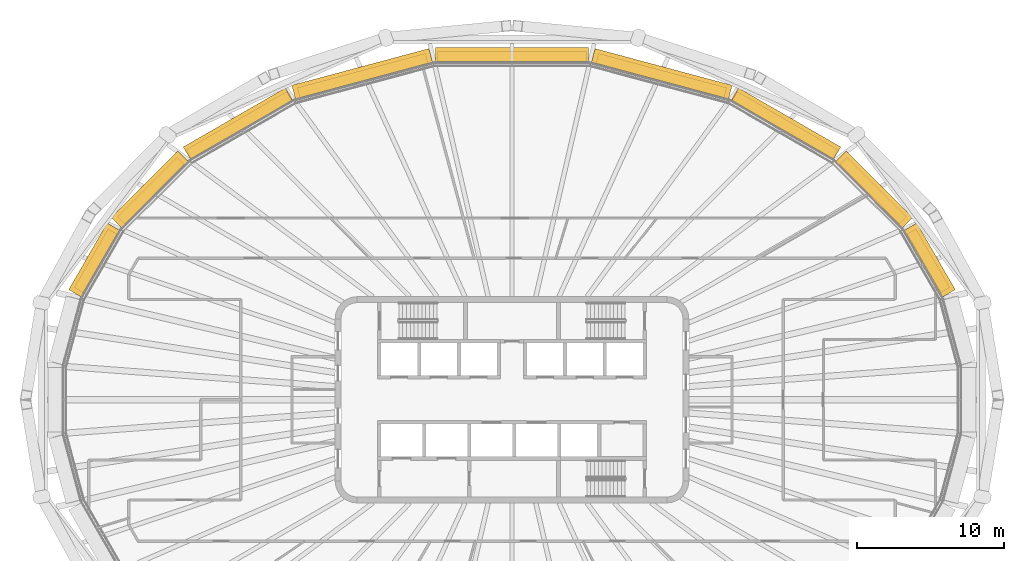
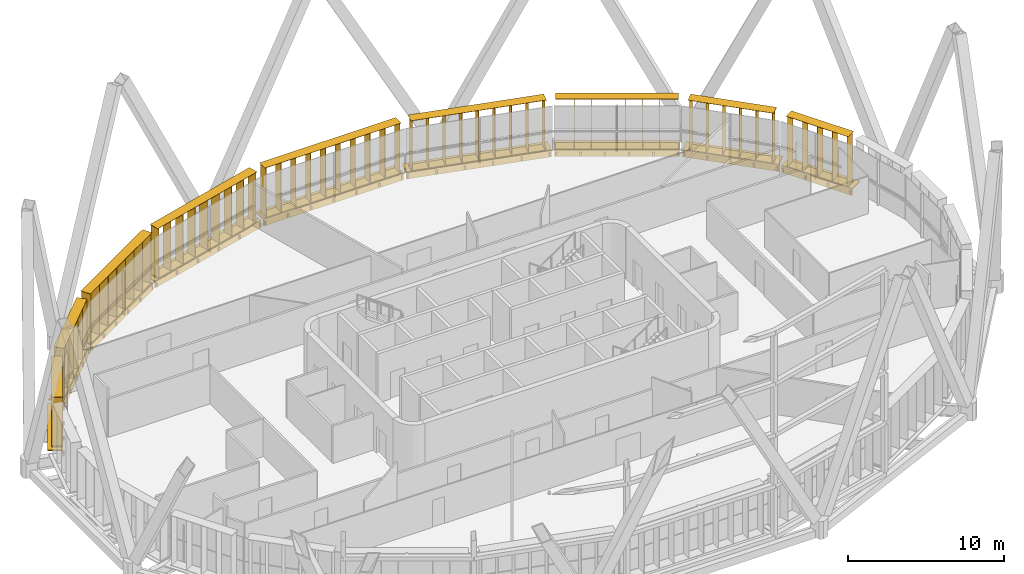
# One storey, part 22 of 22: 18 shading devices.
"""IFC4 building model written with IfcOpenShell, lengths in metres."""

from ifc_helpers import new_model, si_unit, direction, frame, origin, origin_2d, place, context, subcontext, project, spatial, rectangle, extrude, material, type_object, element, save


model = new_model("IFC4")

# Units and contexts
model_context = context("Model", 3, precision=1e-05, world=origin(), true_north=direction((0.0, 1.0)))
body_context = subcontext(model_context, "Body", "Model", "MODEL_VIEW")
ifc_project = project(units=[si_unit("LENGTHUNIT", "METRE"), si_unit("AREAUNIT", "SQUARE_METRE"), si_unit("VOLUMEUNIT", "CUBIC_METRE"), si_unit("PLANEANGLEUNIT", "RADIAN"), si_unit("MASSUNIT", "GRAM", prefix="KILO")], contexts=[model_context])

# Site, building, storey
site_placement = place(None, origin())
site = spatial("IfcSite", under=ifc_project, at=site_placement, CompositionType="ELEMENT")
building_placement = place(site_placement, origin())
building = spatial("IfcBuilding", under=site, at=building_placement, Name="Sahrelin Media Tower", CompositionType="ELEMENT")
storey_placement = place(building_placement, frame((0.0, 0.0, 233.60009765625)))
storey = spatial("IfcBuildingStorey", under=building, at=storey_placement, Name="L50", CompositionType="ELEMENT", Elevation=233.60009765625)

# Shading devices
ifc_material = material(Name="Champagne anodised aluminium 6063-T6", Category="aluminium")
shading_device_type_1 = type_object("IfcShadingDeviceType", Name="Fin cassette", PredefinedType="USERDEFINED", material=ifc_material)
placement_1 = place(storey_placement, frame((27.887939453125, 9.2216796875, 0.0), z_axis=(0.0, 0.0, 1.0), x_axis=(0.500011000363, -0.866019052629, 0.0)))
element("IfcShadingDevice", 1, at=placement_1, inside=storey, type_object=shading_device_type_1, Name="L50:FIN:L50-02", ObjectType="FIN", PredefinedType="USERDEFINED", context=body_context, shape_type="SweptSolid", body=[
    extrude(rectangle(XDim=4.60009765625, YDim=0.699951171875, at=origin_2d()), frame((0.0, 0.419921875, 0.0)), (0.0, 0.0, 1.0), 0.02001953125),
    extrude(rectangle(XDim=4.60009765625, YDim=0.699951171875, at=origin_2d()), frame((0.0, 0.419921875, 3.89990234375)), (0.0, 0.0, 1.0), 0.02001953125),
    extrude(rectangle(XDim=0.02001953125, YDim=0.699951171875, at=origin_2d()), frame((-2.199951171875, 0.419921875, 0.010009765625), z_axis=(0.0, 0.0, 1.0), x_axis=(1.0, 0.0, 0.0)), (0.0, 0.0, 1.0), 3.89990234375),
    extrude(rectangle(XDim=0.02001953125, YDim=0.699951171875, at=origin_2d()), frame((-1.10009765625, 0.419921875, 0.010009765625), z_axis=(0.0, 0.0, 1.0), x_axis=(1.0, 0.0, 0.0)), (0.0, 0.0, 1.0), 3.89990234375),
    extrude(rectangle(XDim=0.02001953125, YDim=0.699951171875, at=origin_2d()), frame((0.0, 0.419921875, 0.010009765625), z_axis=(0.0, 0.0, 1.0), x_axis=(1.0, 0.0, 0.0)), (0.0, 0.0, 1.0), 3.89990234375),
    extrude(rectangle(XDim=0.02001953125, YDim=0.699951171875, at=origin_2d()), frame((1.10009765625, 0.419921875, 0.010009765625), z_axis=(0.0, 0.0, 1.0), x_axis=(1.0, 0.0, 0.0)), (0.0, 0.0, 1.0), 3.89990234375),
    extrude(rectangle(XDim=0.02001953125, YDim=0.699951171875, at=origin_2d()), frame((2.199951171875, 0.419921875, 0.010009765625), z_axis=(0.0, 0.0, 1.0), x_axis=(1.0, 0.0, 0.0)), (0.0, 0.0, 1.0), 3.89990234375),
])
placement_2 = place(storey_placement, frame((24.206298828125, 13.895263671875, 0.0), z_axis=(0.0, 0.0, 1.0), x_axis=(0.707106781187, -0.707106781187, 0.0)))
element("IfcShadingDevice", 2, at=placement_2, inside=storey, type_object=shading_device_type_1, Name="L50:FIN:L50-03", ObjectType="FIN", PredefinedType="USERDEFINED", context=body_context, shape_type="SweptSolid", body=[
    extrude(rectangle(XDim=5.699951171875, YDim=0.699951171875, at=origin_2d()), frame((0.0, 0.419921875, 0.0)), (0.0, 0.0, 1.0), 0.02001953125),
    extrude(rectangle(XDim=5.699951171875, YDim=0.699951171875, at=origin_2d()), frame((0.0, 0.419921875, 3.89990234375)), (0.0, 0.0, 1.0), 0.02001953125),
    extrude(rectangle(XDim=0.02001953125, YDim=0.699951171875, at=origin_2d()), frame((-2.75, 0.419921875, 0.010009765625), z_axis=(0.0, 0.0, 1.0), x_axis=(1.0, 0.0, 0.0)), (0.0, 0.0, 1.0), 3.89990234375),
    extrude(rectangle(XDim=0.02001953125, YDim=0.699951171875, at=origin_2d()), frame((-1.64990234375, 0.419921875, 0.010009765625), z_axis=(0.0, 0.0, 1.0), x_axis=(1.0, 0.0, 0.0)), (0.0, 0.0, 1.0), 3.89990234375),
    extrude(rectangle(XDim=0.02001953125, YDim=0.699951171875, at=origin_2d()), frame((-0.550048828125, 0.419921875, 0.010009765625), z_axis=(0.0, 0.0, 1.0), x_axis=(1.0, 0.0, 0.0)), (0.0, 0.0, 1.0), 3.89990234375),
    extrude(rectangle(XDim=0.02001953125, YDim=0.699951171875, at=origin_2d()), frame((0.550048828125, 0.419921875, 0.010009765625), z_axis=(0.0, 0.0, 1.0), x_axis=(1.0, 0.0, 0.0)), (0.0, 0.0, 1.0), 3.89990234375),
    extrude(rectangle(XDim=0.02001953125, YDim=0.699951171875, at=origin_2d()), frame((1.64990234375, 0.419921875, 0.010009765625), z_axis=(0.0, 0.0, 1.0), x_axis=(1.0, 0.0, 0.0)), (0.0, 0.0, 1.0), 3.89990234375),
    extrude(rectangle(XDim=0.02001953125, YDim=0.699951171875, at=origin_2d()), frame((2.75, 0.419921875, 0.010009765625), z_axis=(0.0, 0.0, 1.0), x_axis=(1.0, 0.0, 0.0)), (0.0, 0.0, 1.0), 3.89990234375),
])
placement_3 = place(storey_placement, frame((18.326416015625, 18.273681640625, 0.0), z_axis=(0.0, 0.0, 1.0), x_axis=(0.866019052629, -0.500011000363, 0.0)))
element("IfcShadingDevice", 3, at=placement_3, inside=storey, type_object=shading_device_type_1, Name="L50:FIN:L50-04", ObjectType="FIN", PredefinedType="USERDEFINED", context=body_context, shape_type="SweptSolid", body=[
    extrude(rectangle(XDim=7.89990234375, YDim=0.699951171875, at=origin_2d()), frame((0.0, 0.419921875, 0.0)), (0.0, 0.0, 1.0), 0.02001953125),
    extrude(rectangle(XDim=7.89990234375, YDim=0.699951171875, at=origin_2d()), frame((0.0, 0.419921875, 3.89990234375)), (0.0, 0.0, 1.0), 0.02001953125),
    extrude(rectangle(XDim=0.02001953125, YDim=0.699951171875, at=origin_2d()), frame((-3.85009765625, 0.419921875, 0.010009765625), z_axis=(0.0, 0.0, 1.0), x_axis=(1.0, 0.0, 0.0)), (0.0, 0.0, 1.0), 3.89990234375),
    extrude(rectangle(XDim=0.02001953125, YDim=0.699951171875, at=origin_2d()), frame((-2.75, 0.419921875, 0.010009765625), z_axis=(0.0, 0.0, 1.0), x_axis=(1.0, 0.0, 0.0)), (0.0, 0.0, 1.0), 3.89990234375),
    extrude(rectangle(XDim=0.02001953125, YDim=0.699951171875, at=origin_2d()), frame((-1.64990234375, 0.419921875, 0.010009765625), z_axis=(0.0, 0.0, 1.0), x_axis=(1.0, 0.0, 0.0)), (0.0, 0.0, 1.0), 3.89990234375),
    extrude(rectangle(XDim=0.02001953125, YDim=0.699951171875, at=origin_2d()), frame((-0.550048828125, 0.419921875, 0.010009765625), z_axis=(0.0, 0.0, 1.0), x_axis=(1.0, 0.0, 0.0)), (0.0, 0.0, 1.0), 3.89990234375),
    extrude(rectangle(XDim=0.02001953125, YDim=0.699951171875, at=origin_2d()), frame((0.550048828125, 0.419921875, 0.010009765625), z_axis=(0.0, 0.0, 1.0), x_axis=(1.0, 0.0, 0.0)), (0.0, 0.0, 1.0), 3.89990234375),
    extrude(rectangle(XDim=0.02001953125, YDim=0.699951171875, at=origin_2d()), frame((1.64990234375, 0.419921875, 0.010009765625), z_axis=(0.0, 0.0, 1.0), x_axis=(1.0, 0.0, 0.0)), (0.0, 0.0, 1.0), 3.89990234375),
    extrude(rectangle(XDim=0.02001953125, YDim=0.699951171875, at=origin_2d()), frame((2.75, 0.419921875, 0.010009765625), z_axis=(0.0, 0.0, 1.0), x_axis=(1.0, 0.0, 0.0)), (0.0, 0.0, 1.0), 3.89990234375),
    extrude(rectangle(XDim=0.02001953125, YDim=0.699951171875, at=origin_2d()), frame((3.85009765625, 0.419921875, 0.010009765625), z_axis=(0.0, 0.0, 1.0), x_axis=(1.0, 0.0, 0.0)), (0.0, 0.0, 1.0), 3.89990234375),
])
placement_4 = place(storey_placement, frame((10.025634765625, 21.596923828125, 0.0), z_axis=(0.0, 0.0, 1.0), x_axis=(0.965928857556, -0.258807731996, 0.0)))
element("IfcShadingDevice", 4, at=placement_4, inside=storey, type_object=shading_device_type_1, Name="L50:FIN:L50-05", ObjectType="FIN", PredefinedType="USERDEFINED", context=body_context, shape_type="SweptSolid", body=[
    extrude(rectangle(XDim=9.0, YDim=0.699951171875, at=origin_2d()), frame((0.0, 0.419921875, 0.0)), (0.0, 0.0, 1.0), 0.02001953125),
    extrude(rectangle(XDim=9.0, YDim=0.699951171875, at=origin_2d()), frame((0.0, 0.419921875, 3.89990234375)), (0.0, 0.0, 1.0), 0.02001953125),
    extrude(rectangle(XDim=0.02001953125, YDim=0.699951171875, at=origin_2d()), frame((-4.39990234375, 0.419921875, 0.010009765625), z_axis=(0.0, 0.0, 1.0), x_axis=(1.0, 0.0, 0.0)), (0.0, 0.0, 1.0), 3.89990234375),
    extrude(rectangle(XDim=0.02001953125, YDim=0.699951171875, at=origin_2d()), frame((-3.300048828125, 0.419921875, 0.010009765625), z_axis=(0.0, 0.0, 1.0), x_axis=(1.0, 0.0, 0.0)), (0.0, 0.0, 1.0), 3.89990234375),
    extrude(rectangle(XDim=0.02001953125, YDim=0.699951171875, at=origin_2d()), frame((-2.199951171875, 0.419921875, 0.010009765625), z_axis=(0.0, 0.0, 1.0), x_axis=(1.0, 0.0, 0.0)), (0.0, 0.0, 1.0), 3.89990234375),
    extrude(rectangle(XDim=0.02001953125, YDim=0.699951171875, at=origin_2d()), frame((-1.10009765625, 0.419921875, 0.010009765625), z_axis=(0.0, 0.0, 1.0), x_axis=(1.0, 0.0, 0.0)), (0.0, 0.0, 1.0), 3.89990234375),
    extrude(rectangle(XDim=0.02001953125, YDim=0.699951171875, at=origin_2d()), frame((0.0, 0.419921875, 0.010009765625), z_axis=(0.0, 0.0, 1.0), x_axis=(1.0, 0.0, 0.0)), (0.0, 0.0, 1.0), 3.89990234375),
    extrude(rectangle(XDim=0.02001953125, YDim=0.699951171875, at=origin_2d()), frame((1.10009765625, 0.419921875, 0.010009765625), z_axis=(0.0, 0.0, 1.0), x_axis=(1.0, 0.0, 0.0)), (0.0, 0.0, 1.0), 3.89990234375),
    extrude(rectangle(XDim=0.02001953125, YDim=0.699951171875, at=origin_2d()), frame((2.199951171875, 0.419921875, 0.010009765625), z_axis=(0.0, 0.0, 1.0), x_axis=(1.0, 0.0, 0.0)), (0.0, 0.0, 1.0), 3.89990234375),
    extrude(rectangle(XDim=0.02001953125, YDim=0.699951171875, at=origin_2d()), frame((3.300048828125, 0.419921875, 0.010009765625), z_axis=(0.0, 0.0, 1.0), x_axis=(1.0, 0.0, 0.0)), (0.0, 0.0, 1.0), 3.89990234375),
    extrude(rectangle(XDim=0.02001953125, YDim=0.699951171875, at=origin_2d()), frame((4.39990234375, 0.419921875, 0.010009765625), z_axis=(0.0, 0.0, 1.0), x_axis=(1.0, 0.0, 0.0)), (0.0, 0.0, 1.0), 3.89990234375),
])
placement_5 = place(storey_placement, frame((0.0, 22.869140625, 0.0), z_axis=(0.0, 0.0, 1.0), x_axis=(1.0, 0.0, 0.0)))
element("IfcShadingDevice", 5, at=placement_5, inside=storey, type_object=shading_device_type_1, Name="L50:FIN:L50-06", ObjectType="FIN", PredefinedType="USERDEFINED", context=body_context, shape_type="SweptSolid", body=[
    extrude(rectangle(XDim=10.10009765625, YDim=0.699951171875, at=origin_2d()), frame((0.0, 0.419921875, 0.0)), (0.0, 0.0, 1.0), 0.02001953125),
    extrude(rectangle(XDim=10.10009765625, YDim=0.699951171875, at=origin_2d()), frame((0.0, 0.419921875, 3.89990234375)), (0.0, 0.0, 1.0), 0.02001953125),
    extrude(rectangle(XDim=0.02001953125, YDim=0.699951171875, at=origin_2d()), frame((-4.949951171875, 0.419921875, 0.010009765625), z_axis=(0.0, 0.0, 1.0), x_axis=(1.0, 0.0, 0.0)), (0.0, 0.0, 1.0), 3.89990234375),
    extrude(rectangle(XDim=0.02001953125, YDim=0.699951171875, at=origin_2d()), frame((-3.85009765625, 0.419921875, 0.010009765625), z_axis=(0.0, 0.0, 1.0), x_axis=(1.0, 0.0, 0.0)), (0.0, 0.0, 1.0), 3.89990234375),
    extrude(rectangle(XDim=0.02001953125, YDim=0.699951171875, at=origin_2d()), frame((-2.75, 0.419921875, 0.010009765625), z_axis=(0.0, 0.0, 1.0), x_axis=(1.0, 0.0, 0.0)), (0.0, 0.0, 1.0), 3.89990234375),
    extrude(rectangle(XDim=0.02001953125, YDim=0.699951171875, at=origin_2d()), frame((-1.64990234375, 0.419921875, 0.010009765625), z_axis=(0.0, 0.0, 1.0), x_axis=(1.0, 0.0, 0.0)), (0.0, 0.0, 1.0), 3.89990234375),
    extrude(rectangle(XDim=0.02001953125, YDim=0.699951171875, at=origin_2d()), frame((-0.550048828125, 0.419921875, 0.010009765625), z_axis=(0.0, 0.0, 1.0), x_axis=(1.0, 0.0, 0.0)), (0.0, 0.0, 1.0), 3.89990234375),
    extrude(rectangle(XDim=0.02001953125, YDim=0.699951171875, at=origin_2d()), frame((0.550048828125, 0.419921875, 0.010009765625), z_axis=(0.0, 0.0, 1.0), x_axis=(1.0, 0.0, 0.0)), (0.0, 0.0, 1.0), 3.89990234375),
    extrude(rectangle(XDim=0.02001953125, YDim=0.699951171875, at=origin_2d()), frame((1.64990234375, 0.419921875, 0.010009765625), z_axis=(0.0, 0.0, 1.0), x_axis=(1.0, 0.0, 0.0)), (0.0, 0.0, 1.0), 3.89990234375),
    extrude(rectangle(XDim=0.02001953125, YDim=0.699951171875, at=origin_2d()), frame((2.75, 0.419921875, 0.010009765625), z_axis=(0.0, 0.0, 1.0), x_axis=(1.0, 0.0, 0.0)), (0.0, 0.0, 1.0), 3.89990234375),
    extrude(rectangle(XDim=0.02001953125, YDim=0.699951171875, at=origin_2d()), frame((3.85009765625, 0.419921875, 0.010009765625), z_axis=(0.0, 0.0, 1.0), x_axis=(1.0, 0.0, 0.0)), (0.0, 0.0, 1.0), 3.89990234375),
    extrude(rectangle(XDim=0.02001953125, YDim=0.699951171875, at=origin_2d()), frame((4.949951171875, 0.419921875, 0.010009765625), z_axis=(0.0, 0.0, 1.0), x_axis=(1.0, 0.0, 0.0)), (0.0, 0.0, 1.0), 3.89990234375),
])
placement_6 = place(storey_placement, frame((-10.025634765625, 21.596923828125, 0.0), z_axis=(0.0, 0.0, 1.0), x_axis=(0.965928857556, 0.258807731996, 0.0)))
element("IfcShadingDevice", 6, at=placement_6, inside=storey, type_object=shading_device_type_1, Name="L50:FIN:L50-07", ObjectType="FIN", PredefinedType="USERDEFINED", context=body_context, shape_type="SweptSolid", body=[
    extrude(rectangle(XDim=9.0, YDim=0.699951171875, at=origin_2d()), frame((0.0, 0.419921875, 0.0)), (0.0, 0.0, 1.0), 0.02001953125),
    extrude(rectangle(XDim=9.0, YDim=0.699951171875, at=origin_2d()), frame((0.0, 0.419921875, 3.89990234375)), (0.0, 0.0, 1.0), 0.02001953125),
    extrude(rectangle(XDim=0.02001953125, YDim=0.699951171875, at=origin_2d()), frame((-4.39990234375, 0.419921875, 0.010009765625), z_axis=(0.0, 0.0, 1.0), x_axis=(1.0, 0.0, 0.0)), (0.0, 0.0, 1.0), 3.89990234375),
    extrude(rectangle(XDim=0.02001953125, YDim=0.699951171875, at=origin_2d()), frame((-3.300048828125, 0.419921875, 0.010009765625), z_axis=(0.0, 0.0, 1.0), x_axis=(1.0, 0.0, 0.0)), (0.0, 0.0, 1.0), 3.89990234375),
    extrude(rectangle(XDim=0.02001953125, YDim=0.699951171875, at=origin_2d()), frame((-2.199951171875, 0.419921875, 0.010009765625), z_axis=(0.0, 0.0, 1.0), x_axis=(1.0, 0.0, 0.0)), (0.0, 0.0, 1.0), 3.89990234375),
    extrude(rectangle(XDim=0.02001953125, YDim=0.699951171875, at=origin_2d()), frame((-1.10009765625, 0.419921875, 0.010009765625), z_axis=(0.0, 0.0, 1.0), x_axis=(1.0, 0.0, 0.0)), (0.0, 0.0, 1.0), 3.89990234375),
    extrude(rectangle(XDim=0.02001953125, YDim=0.699951171875, at=origin_2d()), frame((0.0, 0.419921875, 0.010009765625), z_axis=(0.0, 0.0, 1.0), x_axis=(1.0, 0.0, 0.0)), (0.0, 0.0, 1.0), 3.89990234375),
    extrude(rectangle(XDim=0.02001953125, YDim=0.699951171875, at=origin_2d()), frame((1.10009765625, 0.419921875, 0.010009765625), z_axis=(0.0, 0.0, 1.0), x_axis=(1.0, 0.0, 0.0)), (0.0, 0.0, 1.0), 3.89990234375),
    extrude(rectangle(XDim=0.02001953125, YDim=0.699951171875, at=origin_2d()), frame((2.199951171875, 0.419921875, 0.010009765625), z_axis=(0.0, 0.0, 1.0), x_axis=(1.0, 0.0, 0.0)), (0.0, 0.0, 1.0), 3.89990234375),
    extrude(rectangle(XDim=0.02001953125, YDim=0.699951171875, at=origin_2d()), frame((3.300048828125, 0.419921875, 0.010009765625), z_axis=(0.0, 0.0, 1.0), x_axis=(1.0, 0.0, 0.0)), (0.0, 0.0, 1.0), 3.89990234375),
    extrude(rectangle(XDim=0.02001953125, YDim=0.699951171875, at=origin_2d()), frame((4.39990234375, 0.419921875, 0.010009765625), z_axis=(0.0, 0.0, 1.0), x_axis=(1.0, 0.0, 0.0)), (0.0, 0.0, 1.0), 3.89990234375),
])
placement_7 = place(storey_placement, frame((-18.326416015625, 18.273681640625, 0.0), z_axis=(0.0, 0.0, 1.0), x_axis=(0.866019052629, 0.500011000363, 0.0)))
element("IfcShadingDevice", 7, at=placement_7, inside=storey, type_object=shading_device_type_1, Name="L50:FIN:L50-08", ObjectType="FIN", PredefinedType="USERDEFINED", context=body_context, shape_type="SweptSolid", body=[
    extrude(rectangle(XDim=7.89990234375, YDim=0.699951171875, at=origin_2d()), frame((0.0, 0.419921875, 0.0)), (0.0, 0.0, 1.0), 0.02001953125),
    extrude(rectangle(XDim=7.89990234375, YDim=0.699951171875, at=origin_2d()), frame((0.0, 0.419921875, 3.89990234375)), (0.0, 0.0, 1.0), 0.02001953125),
    extrude(rectangle(XDim=0.02001953125, YDim=0.699951171875, at=origin_2d()), frame((-3.85009765625, 0.419921875, 0.010009765625), z_axis=(0.0, 0.0, 1.0), x_axis=(1.0, 0.0, 0.0)), (0.0, 0.0, 1.0), 3.89990234375),
    extrude(rectangle(XDim=0.02001953125, YDim=0.699951171875, at=origin_2d()), frame((-2.75, 0.419921875, 0.010009765625), z_axis=(0.0, 0.0, 1.0), x_axis=(1.0, 0.0, 0.0)), (0.0, 0.0, 1.0), 3.89990234375),
    extrude(rectangle(XDim=0.02001953125, YDim=0.699951171875, at=origin_2d()), frame((-1.64990234375, 0.419921875, 0.010009765625), z_axis=(0.0, 0.0, 1.0), x_axis=(1.0, 0.0, 0.0)), (0.0, 0.0, 1.0), 3.89990234375),
    extrude(rectangle(XDim=0.02001953125, YDim=0.699951171875, at=origin_2d()), frame((-0.550048828125, 0.419921875, 0.010009765625), z_axis=(0.0, 0.0, 1.0), x_axis=(1.0, 0.0, 0.0)), (0.0, 0.0, 1.0), 3.89990234375),
    extrude(rectangle(XDim=0.02001953125, YDim=0.699951171875, at=origin_2d()), frame((0.550048828125, 0.419921875, 0.010009765625), z_axis=(0.0, 0.0, 1.0), x_axis=(1.0, 0.0, 0.0)), (0.0, 0.0, 1.0), 3.89990234375),
    extrude(rectangle(XDim=0.02001953125, YDim=0.699951171875, at=origin_2d()), frame((1.64990234375, 0.419921875, 0.010009765625), z_axis=(0.0, 0.0, 1.0), x_axis=(1.0, 0.0, 0.0)), (0.0, 0.0, 1.0), 3.89990234375),
    extrude(rectangle(XDim=0.02001953125, YDim=0.699951171875, at=origin_2d()), frame((2.75, 0.419921875, 0.010009765625), z_axis=(0.0, 0.0, 1.0), x_axis=(1.0, 0.0, 0.0)), (0.0, 0.0, 1.0), 3.89990234375),
    extrude(rectangle(XDim=0.02001953125, YDim=0.699951171875, at=origin_2d()), frame((3.85009765625, 0.419921875, 0.010009765625), z_axis=(0.0, 0.0, 1.0), x_axis=(1.0, 0.0, 0.0)), (0.0, 0.0, 1.0), 3.89990234375),
])
placement_8 = place(storey_placement, frame((-24.206298828125, 13.895263671875, 0.0), z_axis=(0.0, 0.0, 1.0), x_axis=(0.707106781187, 0.707106781187, 0.0)))
element("IfcShadingDevice", 8, at=placement_8, inside=storey, type_object=shading_device_type_1, Name="L50:FIN:L50-09", ObjectType="FIN", PredefinedType="USERDEFINED", context=body_context, shape_type="SweptSolid", body=[
    extrude(rectangle(XDim=5.699951171875, YDim=0.699951171875, at=origin_2d()), frame((0.0, 0.419921875, 0.0)), (0.0, 0.0, 1.0), 0.02001953125),
    extrude(rectangle(XDim=5.699951171875, YDim=0.699951171875, at=origin_2d()), frame((0.0, 0.419921875, 3.89990234375)), (0.0, 0.0, 1.0), 0.02001953125),
    extrude(rectangle(XDim=0.02001953125, YDim=0.699951171875, at=origin_2d()), frame((-2.75, 0.419921875, 0.010009765625), z_axis=(0.0, 0.0, 1.0), x_axis=(1.0, 0.0, 0.0)), (0.0, 0.0, 1.0), 3.89990234375),
    extrude(rectangle(XDim=0.02001953125, YDim=0.699951171875, at=origin_2d()), frame((-1.64990234375, 0.419921875, 0.010009765625), z_axis=(0.0, 0.0, 1.0), x_axis=(1.0, 0.0, 0.0)), (0.0, 0.0, 1.0), 3.89990234375),
    extrude(rectangle(XDim=0.02001953125, YDim=0.699951171875, at=origin_2d()), frame((-0.550048828125, 0.419921875, 0.010009765625), z_axis=(0.0, 0.0, 1.0), x_axis=(1.0, 0.0, 0.0)), (0.0, 0.0, 1.0), 3.89990234375),
    extrude(rectangle(XDim=0.02001953125, YDim=0.699951171875, at=origin_2d()), frame((0.550048828125, 0.419921875, 0.010009765625), z_axis=(0.0, 0.0, 1.0), x_axis=(1.0, 0.0, 0.0)), (0.0, 0.0, 1.0), 3.89990234375),
    extrude(rectangle(XDim=0.02001953125, YDim=0.699951171875, at=origin_2d()), frame((1.64990234375, 0.419921875, 0.010009765625), z_axis=(0.0, 0.0, 1.0), x_axis=(1.0, 0.0, 0.0)), (0.0, 0.0, 1.0), 3.89990234375),
    extrude(rectangle(XDim=0.02001953125, YDim=0.699951171875, at=origin_2d()), frame((2.75, 0.419921875, 0.010009765625), z_axis=(0.0, 0.0, 1.0), x_axis=(1.0, 0.0, 0.0)), (0.0, 0.0, 1.0), 3.89990234375),
])
placement_9 = place(storey_placement, frame((-27.887939453125, 9.221923828125, 0.0), z_axis=(0.0, 0.0, 1.0), x_axis=(0.500011000363, 0.866019052629, 0.0)))
element("IfcShadingDevice", 9, at=placement_9, inside=storey, type_object=shading_device_type_1, Name="L50:FIN:L50-10", ObjectType="FIN", PredefinedType="USERDEFINED", context=body_context, shape_type="SweptSolid", body=[
    extrude(rectangle(XDim=4.60009765625, YDim=0.699951171875, at=origin_2d()), frame((0.0, 0.419921875, 0.0)), (0.0, 0.0, 1.0), 0.02001953125),
    extrude(rectangle(XDim=4.60009765625, YDim=0.699951171875, at=origin_2d()), frame((0.0, 0.419921875, 3.89990234375)), (0.0, 0.0, 1.0), 0.02001953125),
    extrude(rectangle(XDim=0.02001953125, YDim=0.699951171875, at=origin_2d()), frame((-2.199951171875, 0.419921875, 0.010009765625), z_axis=(0.0, 0.0, 1.0), x_axis=(1.0, 0.0, 0.0)), (0.0, 0.0, 1.0), 3.89990234375),
    extrude(rectangle(XDim=0.02001953125, YDim=0.699951171875, at=origin_2d()), frame((-1.10009765625, 0.419921875, 0.010009765625), z_axis=(0.0, 0.0, 1.0), x_axis=(1.0, 0.0, 0.0)), (0.0, 0.0, 1.0), 3.89990234375),
    extrude(rectangle(XDim=0.02001953125, YDim=0.699951171875, at=origin_2d()), frame((0.0, 0.419921875, 0.010009765625), z_axis=(0.0, 0.0, 1.0), x_axis=(1.0, 0.0, 0.0)), (0.0, 0.0, 1.0), 3.89990234375),
    extrude(rectangle(XDim=0.02001953125, YDim=0.699951171875, at=origin_2d()), frame((1.10009765625, 0.419921875, 0.010009765625), z_axis=(0.0, 0.0, 1.0), x_axis=(1.0, 0.0, 0.0)), (0.0, 0.0, 1.0), 3.89990234375),
    extrude(rectangle(XDim=0.02001953125, YDim=0.699951171875, at=origin_2d()), frame((2.199951171875, 0.419921875, 0.010009765625), z_axis=(0.0, 0.0, 1.0), x_axis=(1.0, 0.0, 0.0)), (0.0, 0.0, 1.0), 3.89990234375),
])
shading_device_type_2 = type_object("IfcShadingDeviceType", Name="Sunshade band", PredefinedType="USERDEFINED", material=ifc_material)
element("IfcShadingDevice", 10, at=placement_1, inside=storey, type_object=shading_device_type_2, Name="L50:SUN:L50-02", ObjectType="SUNSHADE", PredefinedType="USERDEFINED", context=body_context, shape_type="SweptSolid", body=[
    extrude(rectangle(XDim=5.218017578125, YDim=0.050048828125, at=origin_2d()), frame((0.0, 0.044921875, -0.55126953125)), (0.0, 0.0, 1.0), 0.471435546875),
    extrude(rectangle(XDim=5.218017578125, YDim=1.0, at=origin_2d()), frame((0.0, 0.52001953125, -0.080078125)), (0.0, 0.0, 1.0), 0.080078125),
    extrude(rectangle(XDim=0.10009765625, YDim=0.074951171875, at=origin_2d()), frame((-2.509033203125, -0.017578125, -0.47021484375)), (0.0, 0.0, 1.0), 0.300048828125),
    extrude(rectangle(XDim=0.10009765625, YDim=0.074951171875, at=origin_2d()), frame((-0.836181640625, -0.017578125, -0.47021484375)), (0.0, 0.0, 1.0), 0.300048828125),
    extrude(rectangle(XDim=0.10009765625, YDim=0.074951171875, at=origin_2d()), frame((0.836181640625, -0.017578125, -0.47021484375)), (0.0, 0.0, 1.0), 0.300048828125),
    extrude(rectangle(XDim=0.10009765625, YDim=0.074951171875, at=origin_2d()), frame((2.509033203125, -0.017578125, -0.47021484375)), (0.0, 0.0, 1.0), 0.300048828125),
])
element("IfcShadingDevice", 11, at=placement_2, inside=storey, type_object=shading_device_type_2, Name="L50:SUN:L50-03", ObjectType="SUNSHADE", PredefinedType="USERDEFINED", context=body_context, shape_type="SweptSolid", body=[
    extrude(rectangle(XDim=6.3828125, YDim=0.050048828125, at=origin_2d()), frame((0.0, 0.044921875, -0.55126953125)), (0.0, 0.0, 1.0), 0.471435546875),
    extrude(rectangle(XDim=6.3828125, YDim=1.0, at=origin_2d()), frame((0.0, 0.52001953125, -0.080078125)), (0.0, 0.0, 1.0), 0.080078125),
    extrude(rectangle(XDim=0.10009765625, YDim=0.074951171875, at=origin_2d()), frame((-3.09130859375, -0.017578125, -0.47021484375)), (0.0, 0.0, 1.0), 0.300048828125),
    extrude(rectangle(XDim=0.10009765625, YDim=0.074951171875, at=origin_2d()), frame((-1.545654296875, -0.017578125, -0.47021484375)), (0.0, 0.0, 1.0), 0.300048828125),
    extrude(rectangle(XDim=0.10009765625, YDim=0.074951171875, at=origin_2d()), frame((0.0, -0.017578125, -0.47021484375)), (0.0, 0.0, 1.0), 0.300048828125),
    extrude(rectangle(XDim=0.10009765625, YDim=0.074951171875, at=origin_2d()), frame((1.545654296875, -0.017578125, -0.47021484375)), (0.0, 0.0, 1.0), 0.300048828125),
    extrude(rectangle(XDim=0.10009765625, YDim=0.074951171875, at=origin_2d()), frame((3.09130859375, -0.017578125, -0.47021484375)), (0.0, 0.0, 1.0), 0.300048828125),
])
element("IfcShadingDevice", 12, at=placement_3, inside=storey, type_object=shading_device_type_2, Name="L50:SUN:L50-04", ObjectType="SUNSHADE", PredefinedType="USERDEFINED", context=body_context, shape_type="SweptSolid", body=[
    extrude(rectangle(XDim=8.004150390625, YDim=0.050048828125, at=origin_2d()), frame((0.0, 0.044921875, -0.55126953125)), (0.0, 0.0, 1.0), 0.471435546875),
    extrude(rectangle(XDim=8.004150390625, YDim=1.0, at=origin_2d()), frame((0.0, 0.52001953125, -0.080078125)), (0.0, 0.0, 1.0), 0.080078125),
    extrude(rectangle(XDim=0.10009765625, YDim=0.074951171875, at=origin_2d()), frame((-3.902099609375, -0.017578125, -0.47021484375)), (0.0, 0.0, 1.0), 0.300048828125),
    extrude(rectangle(XDim=0.10009765625, YDim=0.074951171875, at=origin_2d()), frame((-2.34130859375, -0.017578125, -0.47021484375)), (0.0, 0.0, 1.0), 0.300048828125),
    extrude(rectangle(XDim=0.10009765625, YDim=0.074951171875, at=origin_2d()), frame((-0.780517578125, -0.017578125, -0.47021484375)), (0.0, 0.0, 1.0), 0.300048828125),
    extrude(rectangle(XDim=0.10009765625, YDim=0.074951171875, at=origin_2d()), frame((0.780517578125, -0.017578125, -0.47021484375)), (0.0, 0.0, 1.0), 0.300048828125),
    extrude(rectangle(XDim=0.10009765625, YDim=0.074951171875, at=origin_2d()), frame((2.34130859375, -0.017578125, -0.47021484375)), (0.0, 0.0, 1.0), 0.300048828125),
    extrude(rectangle(XDim=0.10009765625, YDim=0.074951171875, at=origin_2d()), frame((3.902099609375, -0.017578125, -0.47021484375)), (0.0, 0.0, 1.0), 0.300048828125),
])
element("IfcShadingDevice", 13, at=placement_4, inside=storey, type_object=shading_device_type_2, Name="L50:SUN:L50-05", ObjectType="SUNSHADE", PredefinedType="USERDEFINED", context=body_context, shape_type="SweptSolid", body=[
    extrude(rectangle(XDim=9.631103515625, YDim=0.050048828125, at=origin_2d()), frame((0.0, 0.044921875, -0.55126953125)), (0.0, 0.0, 1.0), 0.471435546875),
    extrude(rectangle(XDim=9.631103515625, YDim=1.0, at=origin_2d()), frame((0.0, 0.52001953125, -0.080078125)), (0.0, 0.0, 1.0), 0.080078125),
    extrude(rectangle(XDim=0.10009765625, YDim=0.074951171875, at=origin_2d()), frame((-4.715576171875, -0.017578125, -0.47021484375)), (0.0, 0.0, 1.0), 0.300048828125),
    extrude(rectangle(XDim=0.10009765625, YDim=0.074951171875, at=origin_2d()), frame((-2.829345703125, -0.017578125, -0.47021484375)), (0.0, 0.0, 1.0), 0.300048828125),
    extrude(rectangle(XDim=0.10009765625, YDim=0.074951171875, at=origin_2d()), frame((-0.943115234375, -0.017578125, -0.47021484375)), (0.0, 0.0, 1.0), 0.300048828125),
    extrude(rectangle(XDim=0.10009765625, YDim=0.074951171875, at=origin_2d()), frame((0.943115234375, -0.017578125, -0.47021484375)), (0.0, 0.0, 1.0), 0.300048828125),
    extrude(rectangle(XDim=0.10009765625, YDim=0.074951171875, at=origin_2d()), frame((2.829345703125, -0.017578125, -0.47021484375)), (0.0, 0.0, 1.0), 0.300048828125),
    extrude(rectangle(XDim=0.10009765625, YDim=0.074951171875, at=origin_2d()), frame((4.715576171875, -0.017578125, -0.47021484375)), (0.0, 0.0, 1.0), 0.300048828125),
])
element("IfcShadingDevice", 14, at=placement_5, inside=storey, type_object=shading_device_type_2, Name="L50:SUN:L50-06", ObjectType="SUNSHADE", PredefinedType="USERDEFINED", context=body_context, shape_type="SweptSolid", body=[
    extrude(rectangle(XDim=10.355224609375, YDim=0.050048828125, at=origin_2d()), frame((0.0, 0.044921875, -0.55126953125)), (0.0, 0.0, 1.0), 0.471435546875),
    extrude(rectangle(XDim=10.355224609375, YDim=1.0, at=origin_2d()), frame((0.0, 0.52001953125, -0.080078125)), (0.0, 0.0, 1.0), 0.080078125),
    extrude(rectangle(XDim=0.10009765625, YDim=0.074951171875, at=origin_2d()), frame((-5.07763671875, -0.017578125, -0.47021484375)), (0.0, 0.0, 1.0), 0.300048828125),
    extrude(rectangle(XDim=0.10009765625, YDim=0.074951171875, at=origin_2d()), frame((-3.385009765625, -0.017578125, -0.47021484375)), (0.0, 0.0, 1.0), 0.300048828125),
    extrude(rectangle(XDim=0.10009765625, YDim=0.074951171875, at=origin_2d()), frame((-1.6923828125, -0.017578125, -0.47021484375)), (0.0, 0.0, 1.0), 0.300048828125),
    extrude(rectangle(XDim=0.10009765625, YDim=0.074951171875, at=origin_2d()), frame((0.0, -0.017578125, -0.47021484375)), (0.0, 0.0, 1.0), 0.300048828125),
    extrude(rectangle(XDim=0.10009765625, YDim=0.074951171875, at=origin_2d()), frame((1.6923828125, -0.017578125, -0.47021484375)), (0.0, 0.0, 1.0), 0.300048828125),
    extrude(rectangle(XDim=0.10009765625, YDim=0.074951171875, at=origin_2d()), frame((3.385009765625, -0.017578125, -0.47021484375)), (0.0, 0.0, 1.0), 0.300048828125),
    extrude(rectangle(XDim=0.10009765625, YDim=0.074951171875, at=origin_2d()), frame((5.07763671875, -0.017578125, -0.47021484375)), (0.0, 0.0, 1.0), 0.300048828125),
])
element("IfcShadingDevice", 15, at=placement_6, inside=storey, type_object=shading_device_type_2, Name="L50:SUN:L50-07", ObjectType="SUNSHADE", PredefinedType="USERDEFINED", context=body_context, shape_type="SweptSolid", body=[
    extrude(rectangle(XDim=9.631103515625, YDim=0.050048828125, at=origin_2d()), frame((0.0, 0.044921875, -0.55126953125)), (0.0, 0.0, 1.0), 0.471435546875),
    extrude(rectangle(XDim=9.631103515625, YDim=1.0, at=origin_2d()), frame((0.0, 0.52001953125, -0.080078125)), (0.0, 0.0, 1.0), 0.080078125),
    extrude(rectangle(XDim=0.10009765625, YDim=0.074951171875, at=origin_2d()), frame((-4.715576171875, -0.017578125, -0.47021484375)), (0.0, 0.0, 1.0), 0.300048828125),
    extrude(rectangle(XDim=0.10009765625, YDim=0.074951171875, at=origin_2d()), frame((-2.829345703125, -0.017578125, -0.47021484375)), (0.0, 0.0, 1.0), 0.300048828125),
    extrude(rectangle(XDim=0.10009765625, YDim=0.074951171875, at=origin_2d()), frame((-0.943115234375, -0.017578125, -0.47021484375)), (0.0, 0.0, 1.0), 0.300048828125),
    extrude(rectangle(XDim=0.10009765625, YDim=0.074951171875, at=origin_2d()), frame((0.943115234375, -0.017578125, -0.47021484375)), (0.0, 0.0, 1.0), 0.300048828125),
    extrude(rectangle(XDim=0.10009765625, YDim=0.074951171875, at=origin_2d()), frame((2.829345703125, -0.017578125, -0.47021484375)), (0.0, 0.0, 1.0), 0.300048828125),
    extrude(rectangle(XDim=0.10009765625, YDim=0.074951171875, at=origin_2d()), frame((4.715576171875, -0.017578125, -0.47021484375)), (0.0, 0.0, 1.0), 0.300048828125),
])
element("IfcShadingDevice", 16, at=placement_7, inside=storey, type_object=shading_device_type_2, Name="L50:SUN:L50-08", ObjectType="SUNSHADE", PredefinedType="USERDEFINED", context=body_context, shape_type="SweptSolid", body=[
    extrude(rectangle(XDim=8.004150390625, YDim=0.050048828125, at=origin_2d()), frame((0.0, 0.044921875, -0.55126953125)), (0.0, 0.0, 1.0), 0.471435546875),
    extrude(rectangle(XDim=8.004150390625, YDim=1.0, at=origin_2d()), frame((0.0, 0.52001953125, -0.080078125)), (0.0, 0.0, 1.0), 0.080078125),
    extrude(rectangle(XDim=0.10009765625, YDim=0.074951171875, at=origin_2d()), frame((-3.902099609375, -0.017578125, -0.47021484375)), (0.0, 0.0, 1.0), 0.300048828125),
    extrude(rectangle(XDim=0.10009765625, YDim=0.074951171875, at=origin_2d()), frame((-2.34130859375, -0.017578125, -0.47021484375)), (0.0, 0.0, 1.0), 0.300048828125),
    extrude(rectangle(XDim=0.10009765625, YDim=0.074951171875, at=origin_2d()), frame((-0.780517578125, -0.017578125, -0.47021484375)), (0.0, 0.0, 1.0), 0.300048828125),
    extrude(rectangle(XDim=0.10009765625, YDim=0.074951171875, at=origin_2d()), frame((0.780517578125, -0.017578125, -0.47021484375)), (0.0, 0.0, 1.0), 0.300048828125),
    extrude(rectangle(XDim=0.10009765625, YDim=0.074951171875, at=origin_2d()), frame((2.34130859375, -0.017578125, -0.47021484375)), (0.0, 0.0, 1.0), 0.300048828125),
    extrude(rectangle(XDim=0.10009765625, YDim=0.074951171875, at=origin_2d()), frame((3.902099609375, -0.017578125, -0.47021484375)), (0.0, 0.0, 1.0), 0.300048828125),
])
element("IfcShadingDevice", 17, at=placement_8, inside=storey, type_object=shading_device_type_2, Name="L50:SUN:L50-09", ObjectType="SUNSHADE", PredefinedType="USERDEFINED", context=body_context, shape_type="SweptSolid", body=[
    extrude(rectangle(XDim=6.3828125, YDim=0.050048828125, at=origin_2d()), frame((0.0, 0.044921875, -0.55126953125)), (0.0, 0.0, 1.0), 0.471435546875),
    extrude(rectangle(XDim=6.3828125, YDim=1.0, at=origin_2d()), frame((0.0, 0.52001953125, -0.080078125)), (0.0, 0.0, 1.0), 0.080078125),
    extrude(rectangle(XDim=0.10009765625, YDim=0.074951171875, at=origin_2d()), frame((-3.09130859375, -0.017578125, -0.47021484375)), (0.0, 0.0, 1.0), 0.300048828125),
    extrude(rectangle(XDim=0.10009765625, YDim=0.074951171875, at=origin_2d()), frame((-1.545654296875, -0.017578125, -0.47021484375)), (0.0, 0.0, 1.0), 0.300048828125),
    extrude(rectangle(XDim=0.10009765625, YDim=0.074951171875, at=origin_2d()), frame((0.0, -0.017578125, -0.47021484375)), (0.0, 0.0, 1.0), 0.300048828125),
    extrude(rectangle(XDim=0.10009765625, YDim=0.074951171875, at=origin_2d()), frame((1.545654296875, -0.017578125, -0.47021484375)), (0.0, 0.0, 1.0), 0.300048828125),
    extrude(rectangle(XDim=0.10009765625, YDim=0.074951171875, at=origin_2d()), frame((3.09130859375, -0.017578125, -0.47021484375)), (0.0, 0.0, 1.0), 0.300048828125),
])
element("IfcShadingDevice", 18, at=placement_9, inside=storey, type_object=shading_device_type_2, Name="L50:SUN:L50-10", ObjectType="SUNSHADE", PredefinedType="USERDEFINED", context=body_context, shape_type="SweptSolid", body=[
    extrude(rectangle(XDim=5.218017578125, YDim=0.050048828125, at=origin_2d()), frame((0.0, 0.044921875, -0.55126953125)), (0.0, 0.0, 1.0), 0.471435546875),
    extrude(rectangle(XDim=5.218017578125, YDim=1.0, at=origin_2d()), frame((0.0, 0.52001953125, -0.080078125)), (0.0, 0.0, 1.0), 0.080078125),
    extrude(rectangle(XDim=0.10009765625, YDim=0.074951171875, at=origin_2d()), frame((-2.509033203125, -0.017578125, -0.47021484375)), (0.0, 0.0, 1.0), 0.300048828125),
    extrude(rectangle(XDim=0.10009765625, YDim=0.074951171875, at=origin_2d()), frame((-0.836181640625, -0.017578125, -0.47021484375)), (0.0, 0.0, 1.0), 0.300048828125),
    extrude(rectangle(XDim=0.10009765625, YDim=0.074951171875, at=origin_2d()), frame((0.836181640625, -0.017578125, -0.47021484375)), (0.0, 0.0, 1.0), 0.300048828125),
    extrude(rectangle(XDim=0.10009765625, YDim=0.074951171875, at=origin_2d()), frame((2.509033203125, -0.017578125, -0.47021484375)), (0.0, 0.0, 1.0), 0.300048828125),
])

save(model, "model.ifc")
